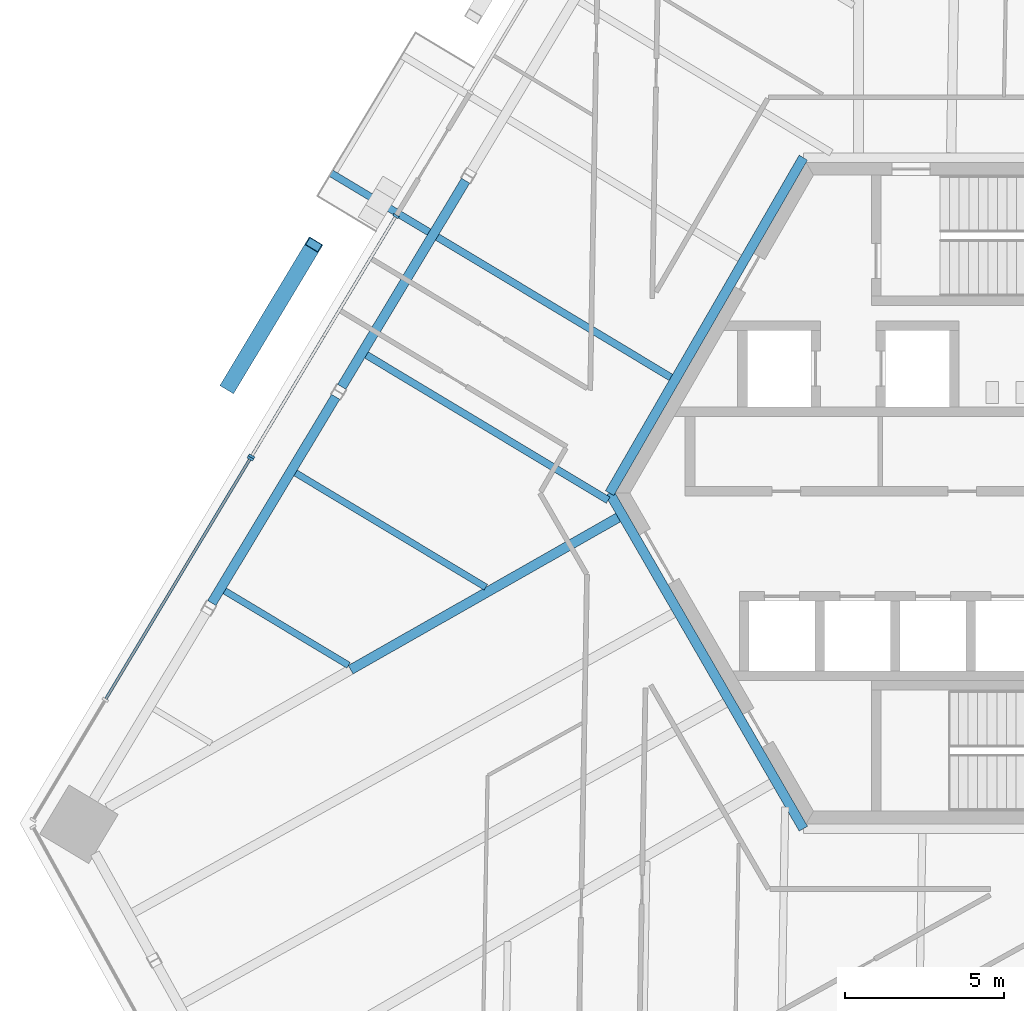
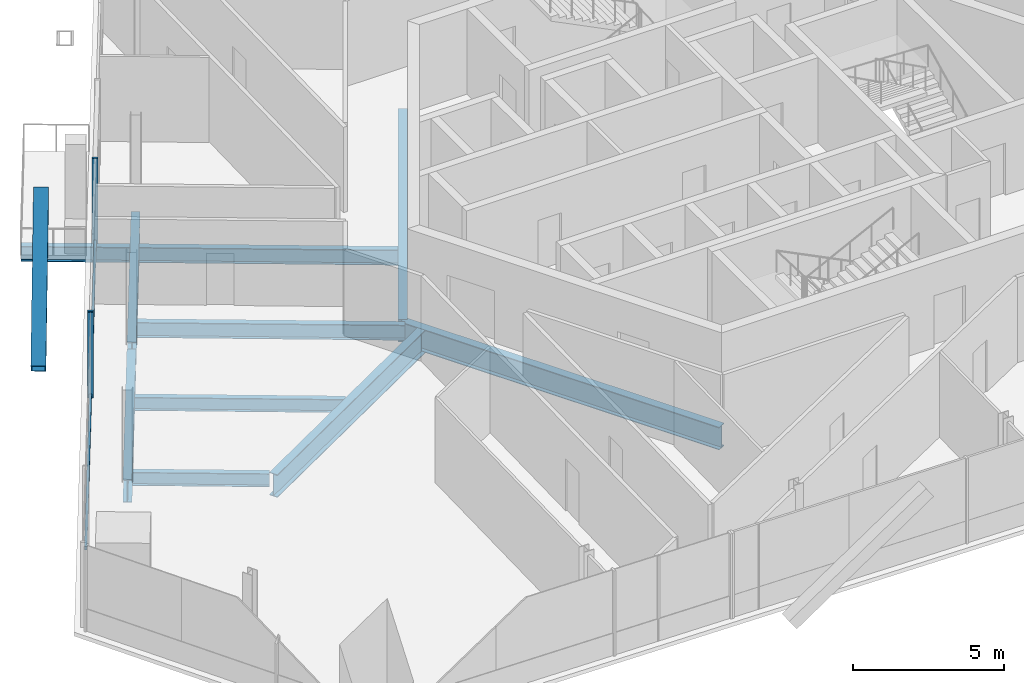
# One storey, part 5 of 18: 10 beams, 6 members, 2 elements without a shape of their own.
"""IFC4 building model written with IfcOpenShell, lengths in metres."""

from ifc_helpers import new_model, si_unit, direction, frame, origin, origin_2d, place, context, subcontext, project, spatial, rectangle, hollow_rectangle, i_section, extrude, source, transform, mapped, material, material_profile, profile_set, type_object, element, aggregate, save


model = new_model("IFC4")

# Units and contexts
model_context = context("Model", 3, precision=1e-05, world=origin(), true_north=direction((0.0, 1.0)))
body_context = subcontext(model_context, "Body", "Model", "MODEL_VIEW")
ifc_project = project(units=[si_unit("LENGTHUNIT", "METRE"), si_unit("AREAUNIT", "SQUARE_METRE"), si_unit("VOLUMEUNIT", "CUBIC_METRE"), si_unit("PLANEANGLEUNIT", "RADIAN"), si_unit("MASSUNIT", "GRAM", prefix="KILO")], contexts=[model_context])

# Site, building, storey
site_placement = place(None, origin())
site = spatial("IfcSite", under=ifc_project, at=site_placement, CompositionType="ELEMENT")
building_placement = place(site_placement, origin())
building = spatial("IfcBuilding", under=site, at=building_placement, Name="Triune Harvest Tower", CompositionType="ELEMENT")
storey_placement = place(building_placement, frame((0.0, 0.0, 190.699951171875)))
storey = spatial("IfcBuildingStorey", under=building, at=storey_placement, Name="L49", CompositionType="ELEMENT", Elevation=190.699951171875)

# Curtain wall, member
ifc_material_1 = material(Name="Aluminium bronze anodised", Category="aluminium")
curtain_wall_type_1 = type_object("IfcCurtainWallType", Name="CW-10 Balcony window wall with insulated spandrel infill", PredefinedType="NOTDEFINED", material=ifc_material_1)
curtain_wall_1_placement = place(storey_placement, origin())
curtain_wall_1 = element("IfcCurtainWall", 1, at=curtain_wall_1_placement, inside=storey, type_object=curtain_wall_type_1, Name="CW-10 B5-F3 L49 run 2")
ifc_material_2 = material(Name="Aluminium bronze anodised", Category="aluminium")
ifc_material_profile_1 = material_profile(ifc_material_2, rectangle(XDim=0.090087890625, YDim=0.14990234375, at=origin_2d()), Name="TR-6 transom 90 x 150")
ifc_profile_set_1 = profile_set([ifc_material_profile_1], Name="Aluminium bronze anodised")
member_type_1 = type_object("IfcMemberType", Name="TR-6 transom 90 x 150", PredefinedType="USERDEFINED", material=ifc_profile_set_1)
member_1_placement = place(storey_placement, frame((-18.9111328125, 8.67333984375, 0.074951171875), z_axis=(-0.515021763075, -0.85717710163, 0.0), x_axis=(0.85717710163, -0.515021763075, 0.0)))
member_1 = element("IfcMember", 2, at=member_1_placement, type_object=member_type_1, Name="CW-10 transom B5-F3 2.1", ObjectType="TRANSOM", PredefinedType="USERDEFINED", context=body_context, shape_type="SweptSolid", body=[
    extrude(rectangle(XDim=0.090087890625, YDim=0.14990234375, at=origin_2d()), origin(), (0.0, 0.0, 1.0), 8.735107421875),
])

# Beams
ifc_material_3 = material(Name="Steel ASTM A992 Gr 50", Category="steel")
ifc_material_profile_2 = material_profile(ifc_material_3, i_section(OverallWidth=0.3046875, OverallDepth=0.914306640625, WebThickness=0.0166015625, FlangeThickness=0.02587890625, at=origin_2d()), Name="W36x160")
ifc_profile_set_2 = profile_set([ifc_material_profile_2], Name="Steel ASTM A992 Gr 50")
beam_type_1 = type_object("IfcBeamType", Name="CG-1 Core ring girder W36x160", PredefinedType="BEAM", material=ifc_profile_set_2)
shared_shape_1 = source(origin(), body_context, "Body", "SweptSolid", [
    extrude(i_section(OverallWidth=0.3046875, OverallDepth=0.914306640625, WebThickness=0.0166015625, FlangeThickness=0.02587890625, at=origin_2d()), origin(), (0.0, 0.0, 1.0), 12.176025390625),
])
for number, where, z_axis, x_axis, name in (
    (3, (-6.087890625, 10.544677734375, -0.6171875), (-0.5000099932, -0.866019634131, 0.0), (0.866019634131, -0.5000099932, 0.0), "beam/L49/CG3"),
    (4, (-12.176025390625, 0.0, -0.6171875), (0.5000099932, -0.866019634131, 0.0), (0.866019634131, 0.5000099932, 0.0), "beam/L49/CG4"),
):
    element("IfcBeam", number, at=place(storey_placement, frame(where, z_axis=z_axis, x_axis=x_axis)), inside=storey, type_object=beam_type_1, Name=name, PredefinedType="BEAM", context=body_context, shape_type="MappedRepresentation", body=[
        mapped(shared_shape_1, transform((0.0, 0.0, 0.0), scale=1.0)),
    ])
ifc_material_4 = material(Name="Steel ASTM A992 Gr 50", Category="steel")
ifc_material_profile_3 = material_profile(ifc_material_4, i_section(OverallWidth=0.307373046875, OverallDepth=0.922119140625, WebThickness=0.018310546875, FlangeThickness=0.030029296875, at=origin_2d()), Name="W36x182")
ifc_profile_set_3 = profile_set([ifc_material_profile_3], Name="Steel ASTM A992 Gr 50")
beam_type_2 = type_object("IfcBeamType", Name="HG-2 Hip girder W36x182", PredefinedType="BEAM", material=ifc_profile_set_3)
shared_shape_2 = source(origin(), body_context, "Body", "SweptSolid", [
    extrude(i_section(OverallWidth=0.307373046875, OverallDepth=0.922119140625, WebThickness=0.018310546875, FlangeThickness=0.030029296875, at=origin_2d()), origin(), (0.0, 0.0, 1.0), 9.672119140625),
])
beam_1_placement = place(storey_placement, frame((-20.31591796875, -5.549560546875, -0.620849609375), z_axis=(0.869255664029, 0.494362812673, 0.0), x_axis=(-0.494362812673, 0.869255664029, 0.0)))
element("IfcBeam", 5, at=beam_1_placement, inside=storey, type_object=beam_type_2, Name="beam/L49/HG6", PredefinedType="BEAM", context=body_context, shape_type="MappedRepresentation", body=[
    mapped(shared_shape_2, transform((0.0, 0.0, 0.0), scale=1.0)),
])
ifc_material_5 = material(Name="Steel ASTM A992 Gr 50", Category="steel")
ifc_material_profile_4 = material_profile(ifc_material_5, i_section(OverallWidth=0.3046875, OverallDepth=0.914306640625, WebThickness=0.0166015625, FlangeThickness=0.02587890625, at=origin_2d()), Name="W36x160")
ifc_profile_set_4 = profile_set([ifc_material_profile_4], Name="Steel ASTM A992 Gr 50")
beam_type_3 = type_object("IfcBeamType", Name="SB-1 Spandrel beam W36x160", PredefinedType="SPANDREL", material=ifc_profile_set_4)
shared_shape_3 = source(origin(), body_context, "Body", "SweptSolid", [
    extrude(i_section(OverallWidth=0.3046875, OverallDepth=0.914306640625, WebThickness=0.0166015625, FlangeThickness=0.02587890625, at=origin_2d()), origin(), (0.0, 0.0, 1.0), 7.556396484375),
])
for number, where, z_axis, x_axis, name in (
    (6, (-16.702880859375, 9.81982421875, -0.6171875), (-0.515065795781, -0.857150643712, 0.0), (0.857150643712, -0.515065795781, 0.0), "beam/L49/SB12"),
    (7, (-20.785888671875, 3.02490234375, -0.6171875), (-0.51504205773, -0.85716490757, 0.0), (0.85716490757, -0.51504205773, 0.0), "beam/L49/SB13"),
):
    element("IfcBeam", number, at=place(storey_placement, frame(where, z_axis=z_axis, x_axis=x_axis)), inside=storey, type_object=beam_type_3, Name=name, PredefinedType="SPANDREL", context=body_context, shape_type="MappedRepresentation", body=[
        mapped(shared_shape_3, transform((0.0, 0.0, 0.0), scale=1.0)),
    ])
ifc_material_6 = material(Name="Steel ASTM A992 Gr 50", Category="steel")
ifc_material_profile_5 = material_profile(ifc_material_6, i_section(OverallWidth=0.22900390625, OverallDepth=0.612060546875, WebThickness=0.011962890625, FlangeThickness=0.01953125, at=origin_2d()), Name="W24x84")
ifc_profile_set_5 = profile_set([ifc_material_profile_5], Name="Steel ASTM A992 Gr 50")
beam_type_4 = type_object("IfcBeamType", Name="JT-3 Floor joist W24x84", PredefinedType="JOIST", material=ifc_profile_set_5)
shared_shape_4 = source(origin(), body_context, "Body", "SweptSolid", [
    extrude(i_section(OverallWidth=0.22900390625, OverallDepth=0.612060546875, WebThickness=0.011962890625, FlangeThickness=0.01953125, at=origin_2d()), origin(), (0.0, 0.0, 1.0), 8.85888671875),
])
beam_2_placement = place(storey_placement, frame((-19.8173828125, 4.3408203125, -0.466064453125), z_axis=(0.857174209269, -0.515026576948, 0.0), x_axis=(0.515026576948, 0.857174209269, 0.0)))
element("IfcBeam", 8, at=beam_2_placement, inside=storey, type_object=beam_type_4, Name="beam/L49/JT19", PredefinedType="JOIST", context=body_context, shape_type="MappedRepresentation", body=[
    mapped(shared_shape_4, transform((0.0, 0.0, 0.0), scale=1.0)),
])
ifc_material_7 = material(Name="Steel ASTM A992 Gr 50", Category="steel")
ifc_material_profile_6 = material_profile(ifc_material_7, i_section(OverallWidth=0.2099609375, OverallDepth=0.535888671875, WebThickness=0.010986328125, FlangeThickness=0.017333984375, at=origin_2d()), Name="W21x68")
ifc_profile_set_6 = profile_set([ifc_material_profile_6], Name="Steel ASTM A992 Gr 50")
beam_type_5 = type_object("IfcBeamType", Name="JT-2 Floor joist W21x68", PredefinedType="JOIST", material=ifc_profile_set_6)
shared_shape_5 = source(origin(), body_context, "Body", "SweptSolid", [
    extrude(i_section(OverallWidth=0.2099609375, OverallDepth=0.535888671875, WebThickness=0.010986328125, FlangeThickness=0.017333984375, at=origin_2d()), origin(), (0.0, 0.0, 1.0), 4.538818359375),
])
beam_3_placement = place(storey_placement, frame((-24.271484375, -3.072021484375, -0.427978515625), z_axis=(0.85717477652, -0.515025632855, 0.0), x_axis=(0.515025632855, 0.85717477652, 0.0)))
element("IfcBeam", 9, at=beam_3_placement, inside=storey, type_object=beam_type_5, Name="beam/L49/JT21", PredefinedType="JOIST", context=body_context, shape_type="MappedRepresentation", body=[
    mapped(shared_shape_5, transform((0.0, 0.0, 0.0), scale=1.0)),
])
shared_shape_6 = source(origin(), body_context, "Body", "SweptSolid", [
    extrude(i_section(OverallWidth=0.22900390625, OverallDepth=0.612060546875, WebThickness=0.011962890625, FlangeThickness=0.01953125, at=origin_2d()), origin(), (0.0, 0.0, 1.0), 8.5615234375),
])
beam_4_placement = place(storey_placement, frame((-17.59033203125, 8.047119140625, -0.466064453125), z_axis=(0.857170691548, -0.515032431553, 0.0), x_axis=(0.515032431553, 0.857170691548, 0.0)))
element("IfcBeam", 10, at=beam_4_placement, inside=storey, type_object=beam_type_4, Name="beam/L49/JT18", PredefinedType="JOIST", context=body_context, shape_type="MappedRepresentation", body=[
    mapped(shared_shape_6, transform((0.0, 0.0, 0.0), scale=1.0)),
])
shared_shape_7 = source(origin(), body_context, "Body", "SweptSolid", [
    extrude(i_section(OverallWidth=0.2099609375, OverallDepth=0.535888671875, WebThickness=0.010986328125, FlangeThickness=0.017333984375, at=origin_2d()), origin(), (0.0, 0.0, 1.0), 6.972900390625),
])
beam_5_placement = place(storey_placement, frame((-22.04443359375, 0.634521484375, -0.427978515625), z_axis=(0.857162181364, -0.515046594823, 0.0), x_axis=(0.515046594823, 0.857162181364, 0.0)))
element("IfcBeam", 11, at=beam_5_placement, inside=storey, type_object=beam_type_5, Name="beam/L49/JT20", PredefinedType="JOIST", context=body_context, shape_type="MappedRepresentation", body=[
    mapped(shared_shape_7, transform((0.0, 0.0, 0.0), scale=1.0)),
])

# Member
ifc_material_8 = material(Name="Steel ASTM A572 Gr 50", Category="steel")
ifc_material_profile_7 = material_profile(ifc_material_8, hollow_rectangle(XDim=0.5, YDim=0.5, WallThickness=0.030029296875, at=origin_2d()), Name="Box 500x500x30")
ifc_profile_set_7 = profile_set([ifc_material_profile_7], Name="Steel ASTM A572 Gr 50")
member_type_2 = type_object("IfcMemberType", Name="BR-3 Brace Box 500x500x30", PredefinedType="BRACE", material=ifc_profile_set_7)
shared_shape_8 = source(origin(), body_context, "Body", "SweptSolid", [
    extrude(hollow_rectangle(XDim=0.5, YDim=0.5, WallThickness=0.030029296875, at=origin_2d()), origin(), (0.0, 0.0, 1.0), 6.302978515625),
])
member_2_placement = place(storey_placement, frame((-24.13720703125, 3.37353515625, 0.0), z_axis=(0.422784976132, 0.703569977687, 0.571176111593), x_axis=(-0.857147139757, 0.515071626869, 0.0)))
element("IfcMember", 12, at=member_2_placement, inside=storey, type_object=member_type_2, Name="brace/B5-F3/d2/4", PredefinedType="BRACE", context=body_context, shape_type="MappedRepresentation", body=[
    mapped(shared_shape_8, transform((0.0, 0.0, 0.0), scale=1.0)),
])

ifc_material_9 = material(Name="Aluminium bronze anodised", Category="aluminium")
ifc_material_profile_8 = material_profile(ifc_material_9, rectangle(XDim=0.199951171875, YDim=0.074951171875, at=origin_2d()), Name="MU-6 mullion 75 x 200")
ifc_profile_set_8 = profile_set([ifc_material_profile_8], Name="Aluminium bronze anodised")
member_type_3 = type_object("IfcMemberType", Name="MU-6 mullion 75 x 200", PredefinedType="MULLION", material=ifc_profile_set_8)
shared_shape_9 = source(origin(), body_context, "Body", "SweptSolid", [
    extrude(rectangle(XDim=0.199951171875, YDim=0.074951171875, at=origin_2d()), origin(), (0.0, 0.0, 1.0), 3.43994140625),
])
member_3_placement = place(storey_placement, frame((-18.8916015625, 8.70556640625, 0.0), z_axis=(0.0, 0.0, 1.0), x_axis=(0.85716757247, -0.515037622612, 0.0)))
member_3 = element("IfcMember", 13, at=member_3_placement, type_object=member_type_3, Name="CW-10 mullion B5-F3 2.1", PredefinedType="MULLION", context=body_context, shape_type="MappedRepresentation", body=[
    mapped(shared_shape_9, transform((0.0, 0.0, 0.0), scale=1.0)),
])

member_4_placement = place(storey_placement, frame((-23.42919921875, 1.15380859375, 0.0), z_axis=(0.0, 0.0, 1.0), x_axis=(0.85716757247, -0.515037622612, 0.0)))
member_4 = element("IfcMember", 14, at=member_4_placement, type_object=member_type_3, Name="CW-10 mullion B5-F3 2.3", PredefinedType="MULLION", context=body_context, shape_type="MappedRepresentation", body=[
    mapped(shared_shape_9, transform((0.0, 0.0, 0.0), scale=1.0)),
])

aggregate(curtain_wall_1, [member_3, member_4, member_1])

# Curtain wall, member
ifc_material_10 = material(Name="Aluminium bronze anodised", Category="aluminium")
curtain_wall_type_2 = type_object("IfcCurtainWallType", Name="CW-6 Balcony window wall", PredefinedType="NOTDEFINED", material=ifc_material_10)
curtain_wall_2_placement = place(storey_placement, origin())
curtain_wall_2 = element("IfcCurtainWall", 15, at=curtain_wall_2_placement, inside=storey, type_object=curtain_wall_type_2, Name="CW-6 B5-F3 L49 run 1002")
member_5_placement = place(storey_placement, frame((-23.468017578125, 1.08935546875, 0.0), z_axis=(0.0, 0.0, 1.0), x_axis=(0.857168564281, -0.515035971956, 0.0)))
member_5 = element("IfcMember", 16, at=member_5_placement, type_object=member_type_3, Name="CW-6 mullion B5-F3 1002.1", PredefinedType="MULLION", context=body_context, shape_type="MappedRepresentation", body=[
    mapped(shared_shape_9, transform((0.0, 0.0, 0.0), scale=1.0)),
])

# Beam
ifc_material_11 = material(Name="Steel ASTM A992 Gr 50", Category="steel")
ifc_material_profile_9 = material_profile(ifc_material_11, i_section(OverallWidth=0.22900390625, OverallDepth=0.612060546875, WebThickness=0.011962890625, FlangeThickness=0.01953125, at=origin_2d()), Name="W24x84")
ifc_profile_set_9 = profile_set([ifc_material_profile_9], Name="Steel ASTM A992 Gr 50")
beam_type_6 = type_object("IfcBeamType", Name="BJ-3 Balcony cantilever joist W24x84", PredefinedType="JOIST", material=ifc_profile_set_9)
shared_shape_10 = source(origin(), body_context, "Body", "SweptSolid", [
    extrude(i_section(OverallWidth=0.22900390625, OverallDepth=0.612060546875, WebThickness=0.011962890625, FlangeThickness=0.01953125, at=origin_2d()), origin(), (0.0, 0.0, 1.0), 3.59765625),
])
beam_6_placement = place(storey_placement, frame((-17.851806640625, 8.2041015625, -0.466064453125), z_axis=(-0.857181395869, 0.515014615886, 0.0), x_axis=(-0.515014615886, -0.857181395869, 0.0)))
element("IfcBeam", 17, at=beam_6_placement, inside=storey, type_object=beam_type_6, Name="Balcony cantilever joist B5-F3 L49.6b", PredefinedType="JOIST", context=body_context, shape_type="MappedRepresentation", body=[
    mapped(shared_shape_10, transform((0.0, 0.0, 0.0), scale=1.0)),
])

# Member
shared_shape_11 = source(origin(), body_context, "Body", "SweptSolid", [
    extrude(rectangle(XDim=0.090087890625, YDim=0.14990234375, at=origin_2d()), origin(), (0.0, 0.0, 1.0), 8.772705078125),
])
member_6_placement = place(storey_placement, frame((-23.4873046875, 1.057373046875, 0.074951171875), z_axis=(-0.515035868116, -0.857168626674, 0.0), x_axis=(0.857168626674, -0.515035868116, 0.0)))
member_6 = element("IfcMember", 18, at=member_6_placement, type_object=member_type_1, Name="CW-6 transom B5-F3 1002.1", ObjectType="TRANSOM", PredefinedType="USERDEFINED", context=body_context, shape_type="MappedRepresentation", body=[
    mapped(shared_shape_11, transform((0.0, 0.0, 0.0), scale=1.0)),
])

aggregate(curtain_wall_2, [member_5, member_6])

save(model, "model.ifc")
